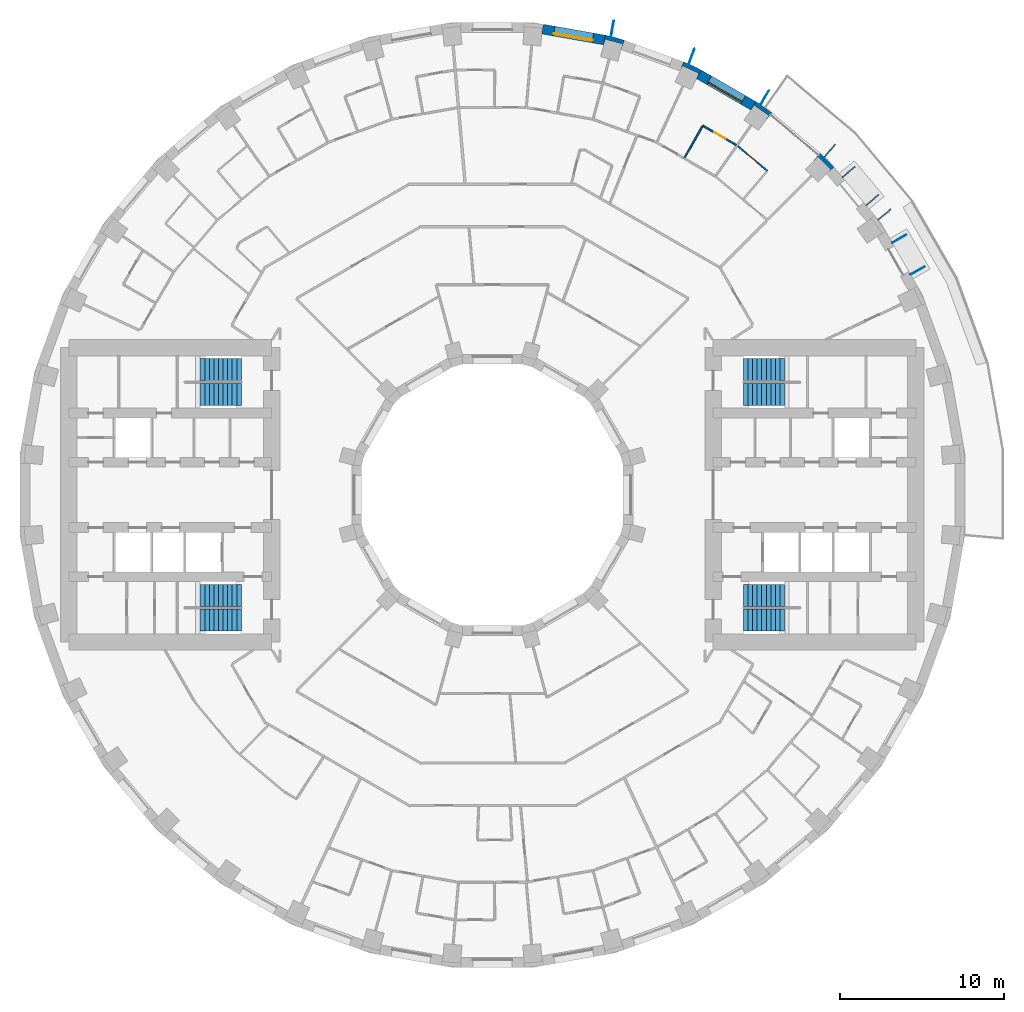
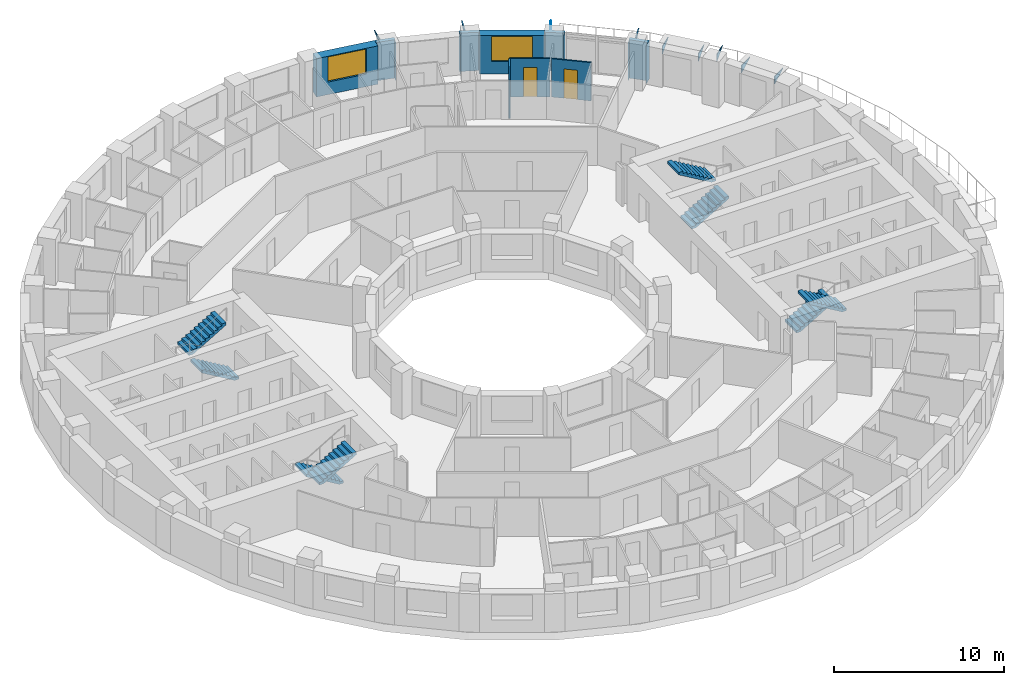
# One storey, part 14 of 15: 9 discrete accessories, 9 walls, 8 stair flights, 2 doors, 2 windows, 4 openings, 4 elements without a shape of their own.
"""IFC4 building model written with IfcOpenShell, lengths in metres."""

from ifc_helpers import new_model, si_unit, direction, frame, frame_2d, origin, place, context, subcontext, project, spatial, polyline, rectangle, outline, extrude, material, layer, layer_set, type_object, element, fill, aggregate, save


model = new_model("IFC4")

# Units and contexts
model_context = context("Model", 3, precision=1e-05, world=origin(), true_north=direction((0.0, 1.0)))
body_context = subcontext(model_context, "Body", "Model", "MODEL_VIEW")
ifc_project = project(units=[si_unit("LENGTHUNIT", "METRE"), si_unit("AREAUNIT", "SQUARE_METRE"), si_unit("VOLUMEUNIT", "CUBIC_METRE"), si_unit("PLANEANGLEUNIT", "RADIAN"), si_unit("MASSUNIT", "GRAM", prefix="KILO")], contexts=[model_context])

# Site, building, storey
site_placement = place(None, origin())
site = spatial("IfcSite", under=ifc_project, at=site_placement, CompositionType="ELEMENT")
building_placement = place(site_placement, origin())
building = spatial("IfcBuilding", under=site, at=building_placement, Name="Saqina Gate Tower", CompositionType="ELEMENT")
storey_placement = place(building_placement, frame((0.0, 0.0, 62.60009765625)))
storey = spatial("IfcBuildingStorey", under=building, at=storey_placement, Name="L17", CompositionType="ELEMENT", Elevation=62.60009765625)

# Walls
ifc_material_1 = material(Name="Brick masonry (red)", Category="masonry")
wall_type_1 = type_object("IfcWallType", Name="BRICK PIER COPING RED", PredefinedType="SOLIDWALL", material=ifc_material_1)
wall_1_placement = place(storey_placement, origin())
element("IfcWall", 1, at=wall_1_placement, inside=storey, type_object=wall_type_1, Name="Pier cap L17 column 5", PredefinedType="SOLIDWALL", context=body_context, shape_type="SweptSolid", body=[
    extrude(outline(polyline([(20.04296875, 20.894775390625), (19.6572265625, 20.43505859375), (19.905029296875, 20.682861328125), (20.682861328125, 19.905029296875), (20.43505859375, 19.6572265625), (20.894775390625, 20.04296875), (20.04296875, 20.894775390625)])), origin(), (0.0, 0.0, 1.0), 2.75),
])
wall_2_placement = place(storey_placement, origin())
element("IfcWall", 2, at=wall_2_placement, inside=storey, type_object=wall_type_1, Name="Pier cap L17 column 6", PredefinedType="SOLIDWALL", context=body_context, shape_type="SweptSolid", body=[
    extrude(outline(polyline([(17.096923828125, 23.36669921875), (16.110107421875, 24.0576171875), (15.81005859375, 23.5380859375), (16.010986328125, 23.8251953125), (16.912109375, 23.194091796875), (16.711181640625, 22.9072265625), (17.096923828125, 23.36669921875)])), origin(), (0.0, 0.0, 1.0), 2.75),
])
wall_3_placement = place(storey_placement, origin())
element("IfcWall", 3, at=wall_3_placement, inside=storey, type_object=wall_type_1, Name="Pier cap L17 column 7", PredefinedType="SOLIDWALL", context=body_context, shape_type="SweptSolid", body=[
    extrude(outline(polyline([(11.687744140625, 26.48974609375), (11.482666015625, 25.92578125), (11.630615234375, 26.243408203125), (12.627685546875, 25.778564453125), (12.4794921875, 25.4609375), (12.779541015625, 25.980712890625), (11.687744140625, 26.48974609375)])), origin(), (0.0, 0.0, 1.0), 2.75),
])
wall_4_placement = place(storey_placement, origin())
element("IfcWall", 4, at=wall_4_placement, inside=storey, type_object=wall_type_1, Name="Pier cap L17 column 8", PredefinedType="SOLIDWALL", context=body_context, shape_type="SweptSolid", body=[
    extrude(outline(polyline([(6.910400390625, 28.11669921875), (6.80615234375, 27.52587890625), (6.896728515625, 27.864501953125), (7.95947265625, 27.57958984375), (7.86865234375, 27.2412109375), (8.073974609375, 27.80517578125), (6.910400390625, 28.11669921875)])), origin(), (0.0, 0.0, 1.0), 2.75),
])

# Wall, opening, window
ifc_material_2 = material(Name="Brick masonry (red)", Category="masonry")
ifc_layer_1 = layer(ifc_material_2, 0.60009765625)
ifc_layer_set_1 = layer_set([ifc_layer_1], Name="FW-BRICK-RED")
wall_type_2 = type_object("IfcWallType", Name="FW-BRICK-RED", PredefinedType="SOLIDWALL", material=ifc_layer_set_1)
wall_5_placement = place(storey_placement, frame((15.960205078125, 23.7978515625, 0.0), z_axis=(0.0, 0.0, 1.0), x_axis=(-0.86603124159, 0.499989888488, 0.0)))
wall_5 = element("IfcWall", 5, at=wall_5_placement, inside=storey, type_object=wall_type_2, Name="Facade wall L17 facet 6", PredefinedType="SOLIDWALL", context=body_context, shape_type="SweptSolid", body=[
    extrude(rectangle(XDim=3.845703125, YDim=0.60009765625, at=frame_2d((1.9228515625, 0.0))), origin(), (0.0, 0.0, 1.0), 2.75),
])
opening_1_placement = place(wall_5_placement, frame((0.722900390625, 0.0, 0.89990234375)))
opening_1 = element("IfcOpeningElement", 6, at=opening_1_placement, cuts=wall_5, Name="Opening G04-W01", PredefinedType="OPENING", context=body_context, shape_type="SweptSolid", body=[
    extrude(rectangle(XDim=2.39990234375, YDim=1.800048828125, at=frame_2d((1.199951171875, 0.89990234375))), frame((0.0, 0.31201171875, 0.0), z_axis=(0.0, -1.0, 0.0), x_axis=(1.0, 0.0, 0.0)), (0.0, 0.0, 1.0), 0.6240234375),
])
ifc_material_3 = material(Name="Aluminium glazing", Category="aluminium")
window_type = type_object("IfcWindowType", Name="WN-A", PartitioningType="SINGLE_PANEL", PredefinedType="WINDOW", material=ifc_material_3)
window_1_placement = place(opening_1_placement, origin())
window_1 = element("IfcWindow", 7, at=window_1_placement, inside=storey, type_object=window_type, Name="Window L17 facet 6", OverallHeight=1.800048828125, OverallWidth=2.39990234375, PartitioningType="SINGLE_PANEL", PredefinedType="WINDOW", context=body_context, shape_type="SweptSolid", body=[
    extrude(rectangle(XDim=2.39990234375, YDim=1.800048828125, at=frame_2d((1.199951171875, 0.89990234375))), frame((0.0, 0.179931640625, 0.0), z_axis=(0.0, -1.0, 0.0), x_axis=(1.0, 0.0, 0.0)), (0.0, 0.0, 1.0), 0.06005859375),
])
fill(opening_1, window_1)

wall_6_placement = place(storey_placement, frame((6.858154296875, 27.8212890625, 0.0), z_axis=(0.0, 0.0, 1.0), x_axis=(-0.984800809218, 0.173687553279, 0.0)))
wall_6 = element("IfcWall", 8, at=wall_6_placement, inside=storey, type_object=wall_type_2, Name="Facade wall L17 facet 8", PredefinedType="SOLIDWALL", context=body_context, shape_type="SweptSolid", body=[
    extrude(rectangle(XDim=3.845703125, YDim=0.60009765625, at=frame_2d((1.9228515625, 0.0))), origin(), (0.0, 0.0, 1.0), 2.75),
])
opening_2_placement = place(wall_6_placement, frame((0.722900390625, 0.0, 0.89990234375)))
opening_2 = element("IfcOpeningElement", 9, at=opening_2_placement, cuts=wall_6, Name="Opening G04-W03", PredefinedType="OPENING", context=body_context, shape_type="SweptSolid", body=[
    extrude(rectangle(XDim=2.39990234375, YDim=1.800048828125, at=frame_2d((1.199951171875, 0.89990234375))), frame((0.0, 0.31201171875, 0.0), z_axis=(0.0, -1.0, 0.0), x_axis=(1.0, 0.0, 0.0)), (0.0, 0.0, 1.0), 0.6240234375),
])
window_2_placement = place(opening_2_placement, origin())
window_2 = element("IfcWindow", 10, at=window_2_placement, inside=storey, type_object=window_type, Name="Window L17 facet 8", OverallHeight=1.800048828125, OverallWidth=2.39990234375, PartitioningType="SINGLE_PANEL", PredefinedType="WINDOW", context=body_context, shape_type="SweptSolid", body=[
    extrude(rectangle(XDim=2.39990234375, YDim=1.800048828125, at=frame_2d((1.199951171875, 0.89990234375))), frame((0.0, 0.179931640625, 0.0), z_axis=(0.0, -1.0, 0.0), x_axis=(1.0, 0.0, 0.0)), (0.0, 0.0, 1.0), 0.06005859375),
])
fill(opening_2, window_2)

# Wall, opening, door
ifc_material_4 = material(Name="Gypsum board on steel studs, 100 mm", Category="steel")
ifc_layer_2 = layer(ifc_material_4, 0.10009765625)
ifc_layer_set_2 = layer_set([ifc_layer_2], Name="PARTITION 100")
wall_type_3 = type_object("IfcWallType", Name="PARTITION 100", PredefinedType="PARTITIONING", material=ifc_layer_set_2)
wall_7_placement = place(storey_placement, frame((15.002197265625, 21.3388671875, 0.0), z_axis=(0.0, 0.0, 1.0), x_axis=(0.765995095449, -0.642846415365, 0.0)))
wall_7 = element("IfcWall", 11, at=wall_7_placement, inside=storey, type_object=wall_type_3, Name="PARTITION PW3-31", PredefinedType="PARTITIONING", context=body_context, shape_type="SweptSolid", body=[
    extrude(rectangle(XDim=2.369140625, YDim=0.10009765625, at=frame_2d((1.1845703125, 0.0))), origin(), (0.0, 0.0, 1.0), 2.75),
])
opening_3_placement = place(wall_7_placement, frame((0.759521484375, 0.0, 0.0)))
opening_3 = element("IfcOpeningElement", 12, at=opening_3_placement, cuts=wall_7, Name="Opening G04-D04", PredefinedType="OPENING", context=body_context, shape_type="SweptSolid", body=[
    extrude(rectangle(XDim=0.800048828125, YDim=2.10009765625, at=frame_2d((0.39990234375, 1.050048828125))), frame((0.0, 0.06201171875, 0.0), z_axis=(0.0, -1.0, 0.0), x_axis=(1.0, 0.0, 0.0)), (0.0, 0.0, 1.0), 0.1240234375),
])
ifc_material_5 = material(Name="Timber door leaf, 800 mm", Category="wood")
door_type = type_object("IfcDoorType", Name="DOOR 800 TIMBER", OperationType="SINGLE_SWING_LEFT", PredefinedType="DOOR", material=ifc_material_5)
door_1_placement = place(opening_3_placement, origin())
door_1 = element("IfcDoor", 13, at=door_1_placement, inside=storey, type_object=door_type, Name="DOOR G04-D04", OperationType="SINGLE_SWING_LEFT", OverallHeight=2.10009765625, OverallWidth=0.800048828125, PredefinedType="DOOR", context=body_context, shape_type="SweptSolid", body=[
    extrude(rectangle(XDim=0.800048828125, YDim=2.10009765625, at=frame_2d((0.39990234375, 1.050048828125))), frame((0.0, 0.02490234375, 0.0), z_axis=(0.0, -1.0, 0.0), x_axis=(1.0, 0.0, 0.0)), (0.0, 0.0, 1.0), 0.050048828125),
])
fill(opening_3, door_1)

wall_8_placement = place(storey_placement, frame((12.868896484375, 22.580078125, 0.0), z_axis=(0.0, 0.0, 1.0), x_axis=(0.866116947413, -0.499841408252, 0.0)))
wall_8 = element("IfcWall", 14, at=wall_8_placement, inside=storey, type_object=wall_type_3, Name="PARTITION PW3-44", PredefinedType="PARTITIONING", context=body_context, shape_type="SweptSolid", body=[
    extrude(rectangle(XDim=2.368896484375, YDim=0.10009765625, at=frame_2d((1.1845703125, 0.0))), origin(), (0.0, 0.0, 1.0), 2.75),
])
opening_4_placement = place(wall_8_placement, frame((0.809326171875, 0.0, 0.0)))
opening_4 = element("IfcOpeningElement", 15, at=opening_4_placement, cuts=wall_8, Name="Opening G04-D06", PredefinedType="OPENING", context=body_context, shape_type="SweptSolid", body=[
    extrude(rectangle(XDim=0.800048828125, YDim=2.10009765625, at=frame_2d((0.39990234375, 1.050048828125))), frame((0.0, 0.06201171875, 0.0), z_axis=(0.0, -1.0, 0.0), x_axis=(1.0, 0.0, 0.0)), (0.0, 0.0, 1.0), 0.1240234375),
])
door_2_placement = place(opening_4_placement, origin())
door_2 = element("IfcDoor", 16, at=door_2_placement, inside=storey, type_object=door_type, Name="DOOR G04-D06", OperationType="SINGLE_SWING_RIGHT", OverallHeight=2.10009765625, OverallWidth=0.800048828125, PredefinedType="DOOR", context=body_context, shape_type="SweptSolid", body=[
    extrude(rectangle(XDim=0.800048828125, YDim=2.10009765625, at=frame_2d((0.39990234375, 1.050048828125))), frame((0.0, 0.02490234375, 0.0), z_axis=(0.0, -1.0, 0.0), x_axis=(1.0, 0.0, 0.0)), (0.0, 0.0, 1.0), 0.050048828125),
])
fill(opening_4, door_2)

# Wall
wall_9_placement = place(storey_placement, frame((11.760986328125, 20.63623046875, 0.0), z_axis=(0.0, 0.0, 1.0), x_axis=(0.495213152806, 0.868771508101, 0.0)))
element("IfcWall", 17, at=wall_9_placement, inside=storey, type_object=wall_type_3, Name="PARTITION PW3-97", PredefinedType="PARTITIONING", context=body_context, shape_type="SweptSolid", body=[
    extrude(rectangle(XDim=2.1875, YDim=0.10009765625, at=frame_2d((1.09375, 0.0))), origin(), (0.0, 0.0, 1.0), 2.75),
])

# Stair, stair flights
ifc_material_6 = material(Name="Concrete C40/50", Category="concrete")
stair_type = type_object("IfcStairType", Name="EXIT STAIR", PredefinedType="HALF_TURN_STAIR", material=ifc_material_6)
stair_1_placement = place(storey_placement, origin())
stair_1 = element("IfcStair", 18, at=stair_1_placement, inside=storey, type_object=stair_type, Name="EXIT STAIR 1", PredefinedType="HALF_TURN_STAIR")
ifc_material_7 = material(Name="Concrete C40/50", Category="concrete")
stair_flight_type = type_object("IfcStairFlightType", Name="EXIT STAIR FLIGHT", PredefinedType="STRAIGHT", material=ifc_material_7)
stair_flight_1_placement = place(storey_placement, frame((15.35009765625, 6.1416015625, 0.0), z_axis=(0.0, 0.0, 1.0), x_axis=(1.0, 0.0, 0.0)))
stair_flight_1 = element("IfcStairFlight", 19, at=stair_flight_1_placement, type_object=stair_flight_type, Name="EXIT STAIR 1 FLIGHT 1", NumberOfRisers=10, NumberOfTreads=9, PredefinedType="STRAIGHT", RiserHeight=0.165, TreadLength=0.28, context=body_context, shape_type="SweptSolid", body=[
    extrude(outline(polyline([(0.0, 0.0), (0.0, 0.1650390625), (0.280029296875, 0.1650390625), (0.280029296875, 0.330078125), (0.56005859375, 0.330078125), (0.56005859375, 0.4951171875), (0.840087890625, 0.4951171875), (0.840087890625, 0.659912109375), (1.1201171875, 0.659912109375), (1.1201171875, 0.824951171875), (1.39990234375, 0.824951171875), (1.39990234375, 0.989990234375), (1.679931640625, 0.989990234375), (1.679931640625, 1.155029296875), (1.9599609375, 1.155029296875), (1.9599609375, 1.320068359375), (2.239990234375, 1.320068359375), (2.239990234375, 1.485107421875), (2.52001953125, 1.485107421875), (2.52001953125, 1.64990234375), (2.52001953125, 1.31103515625), (0.295166015625, 0.0), (0.0, 0.0)])), frame((0.0, 0.675048828125, 0.0), z_axis=(0.0, -1.0, 0.0), x_axis=(1.0, 0.0, 0.0)), (0.0, 0.0, 1.0), 1.35009765625),
])
stair_flight_2_placement = place(storey_placement, frame((17.8701171875, 7.658447265625, 1.64990234375), z_axis=(0.0, 0.0, 1.0), x_axis=(-1.0, 0.0, 0.0)))
stair_flight_2 = element("IfcStairFlight", 20, at=stair_flight_2_placement, type_object=stair_flight_type, Name="EXIT STAIR 1 FLIGHT 2", NumberOfRisers=10, NumberOfTreads=9, PredefinedType="STRAIGHT", RiserHeight=0.165, TreadLength=0.28, context=body_context, shape_type="SweptSolid", body=[
    extrude(outline(polyline([(0.0, 0.0), (0.0, 0.1650390625), (0.280029296875, 0.1650390625), (0.280029296875, 0.330078125), (0.56005859375, 0.330078125), (0.56005859375, 0.4951171875), (0.840087890625, 0.4951171875), (0.840087890625, 0.659912109375), (1.1201171875, 0.659912109375), (1.1201171875, 0.824951171875), (1.39990234375, 0.824951171875), (1.39990234375, 0.989990234375), (1.679931640625, 0.989990234375), (1.679931640625, 1.155029296875), (1.9599609375, 1.155029296875), (1.9599609375, 1.320068359375), (2.239990234375, 1.320068359375), (2.239990234375, 1.485107421875), (2.52001953125, 1.485107421875), (2.52001953125, 1.64990234375), (2.52001953125, 1.31103515625), (0.295166015625, 0.0), (0.0, 0.0)])), frame((0.0, 0.675048828125, 0.0), z_axis=(0.0, -1.0, 0.0), x_axis=(1.0, 0.0, 0.0)), (0.0, 0.0, 1.0), 1.35009765625),
])
aggregate(stair_1, [stair_flight_1, stair_flight_2])

stair_2_placement = place(storey_placement, origin())
stair_2 = element("IfcStair", 21, at=stair_2_placement, inside=storey, type_object=stair_type, Name="EXIT STAIR 2", PredefinedType="HALF_TURN_STAIR")
stair_flight_3_placement = place(storey_placement, frame((15.35009765625, -6.1416015625, 0.0), z_axis=(0.0, 0.0, 1.0), x_axis=(1.0, 0.0, 0.0)))
stair_flight_3 = element("IfcStairFlight", 22, at=stair_flight_3_placement, type_object=stair_flight_type, Name="EXIT STAIR 2 FLIGHT 1", NumberOfRisers=10, NumberOfTreads=9, PredefinedType="STRAIGHT", RiserHeight=0.165, TreadLength=0.28, context=body_context, shape_type="SweptSolid", body=[
    extrude(outline(polyline([(0.0, 0.0), (0.0, 0.1650390625), (0.280029296875, 0.1650390625), (0.280029296875, 0.330078125), (0.56005859375, 0.330078125), (0.56005859375, 0.4951171875), (0.840087890625, 0.4951171875), (0.840087890625, 0.659912109375), (1.1201171875, 0.659912109375), (1.1201171875, 0.824951171875), (1.39990234375, 0.824951171875), (1.39990234375, 0.989990234375), (1.679931640625, 0.989990234375), (1.679931640625, 1.155029296875), (1.9599609375, 1.155029296875), (1.9599609375, 1.320068359375), (2.239990234375, 1.320068359375), (2.239990234375, 1.485107421875), (2.52001953125, 1.485107421875), (2.52001953125, 1.64990234375), (2.52001953125, 1.31103515625), (0.295166015625, 0.0), (0.0, 0.0)])), frame((0.0, 0.675048828125, 0.0), z_axis=(0.0, -1.0, 0.0), x_axis=(1.0, 0.0, 0.0)), (0.0, 0.0, 1.0), 1.35009765625),
])
stair_flight_4_placement = place(storey_placement, frame((17.8701171875, -7.658447265625, 1.64990234375), z_axis=(0.0, 0.0, 1.0), x_axis=(-1.0, 0.0, 0.0)))
stair_flight_4 = element("IfcStairFlight", 23, at=stair_flight_4_placement, type_object=stair_flight_type, Name="EXIT STAIR 2 FLIGHT 2", NumberOfRisers=10, NumberOfTreads=9, PredefinedType="STRAIGHT", RiserHeight=0.165, TreadLength=0.28, context=body_context, shape_type="SweptSolid", body=[
    extrude(outline(polyline([(0.0, 0.0), (0.0, 0.1650390625), (0.280029296875, 0.1650390625), (0.280029296875, 0.330078125), (0.56005859375, 0.330078125), (0.56005859375, 0.4951171875), (0.840087890625, 0.4951171875), (0.840087890625, 0.659912109375), (1.1201171875, 0.659912109375), (1.1201171875, 0.824951171875), (1.39990234375, 0.824951171875), (1.39990234375, 0.989990234375), (1.679931640625, 0.989990234375), (1.679931640625, 1.155029296875), (1.9599609375, 1.155029296875), (1.9599609375, 1.320068359375), (2.239990234375, 1.320068359375), (2.239990234375, 1.485107421875), (2.52001953125, 1.485107421875), (2.52001953125, 1.64990234375), (2.52001953125, 1.31103515625), (0.295166015625, 0.0), (0.0, 0.0)])), frame((0.0, 0.675048828125, 0.0), z_axis=(0.0, -1.0, 0.0), x_axis=(1.0, 0.0, 0.0)), (0.0, 0.0, 1.0), 1.35009765625),
])
aggregate(stair_2, [stair_flight_3, stair_flight_4])

stair_3_placement = place(storey_placement, origin())
stair_3 = element("IfcStair", 24, at=stair_3_placement, inside=storey, type_object=stair_type, Name="EXIT STAIR 3", PredefinedType="HALF_TURN_STAIR")
stair_flight_5_placement = place(storey_placement, frame((-15.35009765625, 6.1416015625, 0.0), z_axis=(0.0, 0.0, 1.0), x_axis=(-1.0, 0.0, 0.0)))
stair_flight_5 = element("IfcStairFlight", 25, at=stair_flight_5_placement, type_object=stair_flight_type, Name="EXIT STAIR 3 FLIGHT 1", NumberOfRisers=10, NumberOfTreads=9, PredefinedType="STRAIGHT", RiserHeight=0.165, TreadLength=0.28, context=body_context, shape_type="SweptSolid", body=[
    extrude(outline(polyline([(0.0, 0.0), (0.0, 0.1650390625), (0.280029296875, 0.1650390625), (0.280029296875, 0.330078125), (0.56005859375, 0.330078125), (0.56005859375, 0.4951171875), (0.840087890625, 0.4951171875), (0.840087890625, 0.659912109375), (1.1201171875, 0.659912109375), (1.1201171875, 0.824951171875), (1.39990234375, 0.824951171875), (1.39990234375, 0.989990234375), (1.679931640625, 0.989990234375), (1.679931640625, 1.155029296875), (1.9599609375, 1.155029296875), (1.9599609375, 1.320068359375), (2.239990234375, 1.320068359375), (2.239990234375, 1.485107421875), (2.52001953125, 1.485107421875), (2.52001953125, 1.64990234375), (2.52001953125, 1.31103515625), (0.295166015625, 0.0), (0.0, 0.0)])), frame((0.0, 0.675048828125, 0.0), z_axis=(0.0, -1.0, 0.0), x_axis=(1.0, 0.0, 0.0)), (0.0, 0.0, 1.0), 1.35009765625),
])
stair_flight_6_placement = place(storey_placement, frame((-17.8701171875, 7.658447265625, 1.64990234375), z_axis=(0.0, 0.0, 1.0), x_axis=(1.0, 0.0, 0.0)))
stair_flight_6 = element("IfcStairFlight", 26, at=stair_flight_6_placement, type_object=stair_flight_type, Name="EXIT STAIR 3 FLIGHT 2", NumberOfRisers=10, NumberOfTreads=9, PredefinedType="STRAIGHT", RiserHeight=0.165, TreadLength=0.28, context=body_context, shape_type="SweptSolid", body=[
    extrude(outline(polyline([(0.0, 0.0), (0.0, 0.1650390625), (0.280029296875, 0.1650390625), (0.280029296875, 0.330078125), (0.56005859375, 0.330078125), (0.56005859375, 0.4951171875), (0.840087890625, 0.4951171875), (0.840087890625, 0.659912109375), (1.1201171875, 0.659912109375), (1.1201171875, 0.824951171875), (1.39990234375, 0.824951171875), (1.39990234375, 0.989990234375), (1.679931640625, 0.989990234375), (1.679931640625, 1.155029296875), (1.9599609375, 1.155029296875), (1.9599609375, 1.320068359375), (2.239990234375, 1.320068359375), (2.239990234375, 1.485107421875), (2.52001953125, 1.485107421875), (2.52001953125, 1.64990234375), (2.52001953125, 1.31103515625), (0.295166015625, 0.0), (0.0, 0.0)])), frame((0.0, 0.675048828125, 0.0), z_axis=(0.0, -1.0, 0.0), x_axis=(1.0, 0.0, 0.0)), (0.0, 0.0, 1.0), 1.35009765625),
])
aggregate(stair_3, [stair_flight_5, stair_flight_6])

stair_4_placement = place(storey_placement, origin())
stair_4 = element("IfcStair", 27, at=stair_4_placement, inside=storey, type_object=stair_type, Name="EXIT STAIR 4", PredefinedType="HALF_TURN_STAIR")
stair_flight_7_placement = place(storey_placement, frame((-15.35009765625, -6.1416015625, 0.0), z_axis=(0.0, 0.0, 1.0), x_axis=(-1.0, 0.0, 0.0)))
stair_flight_7 = element("IfcStairFlight", 28, at=stair_flight_7_placement, type_object=stair_flight_type, Name="EXIT STAIR 4 FLIGHT 1", NumberOfRisers=10, NumberOfTreads=9, PredefinedType="STRAIGHT", RiserHeight=0.165, TreadLength=0.28, context=body_context, shape_type="SweptSolid", body=[
    extrude(outline(polyline([(0.0, 0.0), (0.0, 0.1650390625), (0.280029296875, 0.1650390625), (0.280029296875, 0.330078125), (0.56005859375, 0.330078125), (0.56005859375, 0.4951171875), (0.840087890625, 0.4951171875), (0.840087890625, 0.659912109375), (1.1201171875, 0.659912109375), (1.1201171875, 0.824951171875), (1.39990234375, 0.824951171875), (1.39990234375, 0.989990234375), (1.679931640625, 0.989990234375), (1.679931640625, 1.155029296875), (1.9599609375, 1.155029296875), (1.9599609375, 1.320068359375), (2.239990234375, 1.320068359375), (2.239990234375, 1.485107421875), (2.52001953125, 1.485107421875), (2.52001953125, 1.64990234375), (2.52001953125, 1.31103515625), (0.295166015625, 0.0), (0.0, 0.0)])), frame((0.0, 0.675048828125, 0.0), z_axis=(0.0, -1.0, 0.0), x_axis=(1.0, 0.0, 0.0)), (0.0, 0.0, 1.0), 1.35009765625),
])
stair_flight_8_placement = place(storey_placement, frame((-17.8701171875, -7.658447265625, 1.64990234375), z_axis=(0.0, 0.0, 1.0), x_axis=(1.0, 0.0, 0.0)))
stair_flight_8 = element("IfcStairFlight", 29, at=stair_flight_8_placement, type_object=stair_flight_type, Name="EXIT STAIR 4 FLIGHT 2", NumberOfRisers=10, NumberOfTreads=9, PredefinedType="STRAIGHT", RiserHeight=0.165, TreadLength=0.28, context=body_context, shape_type="SweptSolid", body=[
    extrude(outline(polyline([(0.0, 0.0), (0.0, 0.1650390625), (0.280029296875, 0.1650390625), (0.280029296875, 0.330078125), (0.56005859375, 0.330078125), (0.56005859375, 0.4951171875), (0.840087890625, 0.4951171875), (0.840087890625, 0.659912109375), (1.1201171875, 0.659912109375), (1.1201171875, 0.824951171875), (1.39990234375, 0.824951171875), (1.39990234375, 0.989990234375), (1.679931640625, 0.989990234375), (1.679931640625, 1.155029296875), (1.9599609375, 1.155029296875), (1.9599609375, 1.320068359375), (2.239990234375, 1.320068359375), (2.239990234375, 1.485107421875), (2.52001953125, 1.485107421875), (2.52001953125, 1.64990234375), (2.52001953125, 1.31103515625), (0.295166015625, 0.0), (0.0, 0.0)])), frame((0.0, 0.675048828125, 0.0), z_axis=(0.0, -1.0, 0.0), x_axis=(1.0, 0.0, 0.0)), (0.0, 0.0, 1.0), 1.35009765625),
])
aggregate(stair_4, [stair_flight_7, stair_flight_8])

# Discrete accessories
ifc_material_8 = material(Name="Galvanised steel", Category="steel")
ifc_layer_3 = layer(ifc_material_8, 0.050048828125)
ifc_layer_set_3 = layer_set([ifc_layer_3], Name="BR-AWNING")
discrete_accessory_type_1 = type_object("IfcDiscreteAccessoryType", Name="BR-AWNING", PredefinedType="BRACKET", material=ifc_layer_set_3)
for number, where, z_axis, x_axis, name in (
    (30, (25.568115234375, 13.493896484375, 1.974853515625), (-0.50002537861, 0.866010750942, 0.0), (0.0, 0.0, 1.0), "Awning bracket L17 facet 3"),
    (31, (24.4453125, 15.43896484375, 1.974853515625), (-0.50002537861, 0.866010750942, 0.0), (0.0, 0.0, 1.0), "Awning bracket L17 facet 3"),
):
    element("IfcDiscreteAccessory", number, at=place(storey_placement, frame(where, z_axis=z_axis, x_axis=x_axis)), inside=storey, type_object=discrete_accessory_type_1, Name=name, PredefinedType="BRACKET", context=body_context, shape_type="SweptSolid", body=[
        extrude(outline(polyline([(0.0, 0.0), (0.550048828125, 0.0), (0.550048828125, 0.9999492453569568), (0.0, 0.0)])), origin(), (0.0, 0.0, -1.0), 0.050048828125),
    ])
for number, where, z_axis, x_axis, name in (
    (32, (22.83642578125, 17.728759765625, 1.974853515625), (-0.64277405138, 0.766055819685, 0.0), (0.0, 0.0, 1.0), "Awning bracket L17 facet 4"),
    (33, (21.392822265625, 19.44921875, 1.974853515625), (-0.64277405138, 0.766055819685, 0.0), (0.0, 0.0, 1.0), "Awning bracket L17 facet 4"),
):
    element("IfcDiscreteAccessory", number, at=place(storey_placement, frame(where, z_axis=z_axis, x_axis=x_axis)), inside=storey, type_object=discrete_accessory_type_1, Name=name, PredefinedType="BRACKET", context=body_context, shape_type="SweptSolid", body=[
        extrude(outline(polyline([(0.0, 0.0), (0.550048828125, 0.0), (0.550048828125, 1.0000750096322273), (0.0, 0.0)])), origin(), (0.0, 0.0, -1.0), 0.050048828125),
    ])
ifc_material_9 = material(Name="Galvanised steel", Category="steel")
ifc_layer_4 = layer(ifc_material_9, 0.050048828125)
ifc_layer_set_4 = layer_set([ifc_layer_4], Name="BR-GUSSET")
discrete_accessory_type_2 = type_object("IfcDiscreteAccessoryType", Name="BR-GUSSET", PredefinedType="BRACKET", material=ifc_layer_set_4)
for number, where, z_axis, x_axis, name in (
    (34, (23.57861328125, 16.844482421875, 2.25), (-0.64277405138, 0.766055819685, 0.0), (0.0, 0.0, 1.0), "Terrace slab bracket L18 1"),
    (35, (20.29541015625, 20.682861328125, 2.25), (-0.766055819685, 0.64277405138, 0.0), (0.0, 0.0, 1.0), "Terrace slab bracket L18 2"),
):
    element("IfcDiscreteAccessory", number, at=place(storey_placement, frame(where, z_axis=z_axis, x_axis=x_axis)), inside=storey, type_object=discrete_accessory_type_2, Name=name, PredefinedType="BRACKET", context=body_context, shape_type="SweptSolid", body=[
        extrude(outline(polyline([(0.0, 0.0), (0.5, 0.0), (0.5, 1.0000750096322275), (0.0, 0.0)])), origin(), (0.0, 0.0, -1.0), 0.050048828125),
    ])
discrete_accessory_1_placement = place(storey_placement, frame((16.3955078125, 23.892822265625, 2.25), z_axis=(-0.866010750942, 0.50002537861, 0.0), x_axis=(0.0, 0.0, 1.0)))
element("IfcDiscreteAccessory", 36, at=discrete_accessory_1_placement, inside=storey, type_object=discrete_accessory_type_2, Name="Terrace slab bracket L18 3", PredefinedType="BRACKET", context=body_context, shape_type="SweptSolid", body=[
    extrude(outline(polyline([(0.0, 0.0), (0.5, 0.0), (0.5, 0.9999492453569568), (0.0, 0.0)])), origin(), (0.0, 0.0, -1.0), 0.050048828125),
])
discrete_accessory_2_placement = place(storey_placement, frame((11.99755859375, 26.376953125, 2.25), z_axis=(-0.939686455819, 0.342037080957, 0.0), x_axis=(0.0, 0.0, 1.0)))
element("IfcDiscreteAccessory", 37, at=discrete_accessory_2_placement, inside=storey, type_object=discrete_accessory_type_2, Name="Terrace slab bracket L18 4", PredefinedType="BRACKET", context=body_context, shape_type="SweptSolid", body=[
    extrude(outline(polyline([(0.0, 0.0), (0.5, 0.0), (0.5, 1.000011503630275), (0.0, 0.0)])), origin(), (0.0, 0.0, -1.0), 0.050048828125),
])
discrete_accessory_3_placement = place(storey_placement, frame((7.23486328125, 28.0595703125, 2.25), z_axis=(-0.984778643263, 0.173813186416, 0.0), x_axis=(0.0, 0.0, 1.0)))
element("IfcDiscreteAccessory", 38, at=discrete_accessory_3_placement, inside=storey, type_object=discrete_accessory_type_2, Name="Terrace slab bracket L18 5", PredefinedType="BRACKET", context=body_context, shape_type="SweptSolid", body=[
    extrude(outline(polyline([(0.0, 0.0), (0.5, 0.0), (0.5, 1.000085946204391), (0.0, 0.0)])), origin(), (0.0, 0.0, -1.0), 0.050048828125),
])

save(model, "model.ifc")
